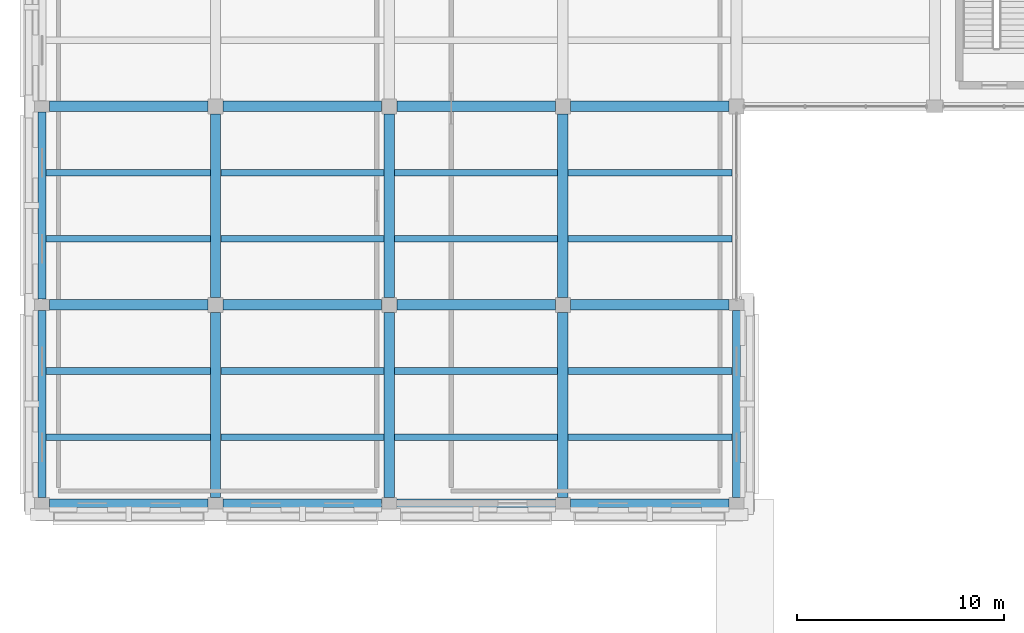
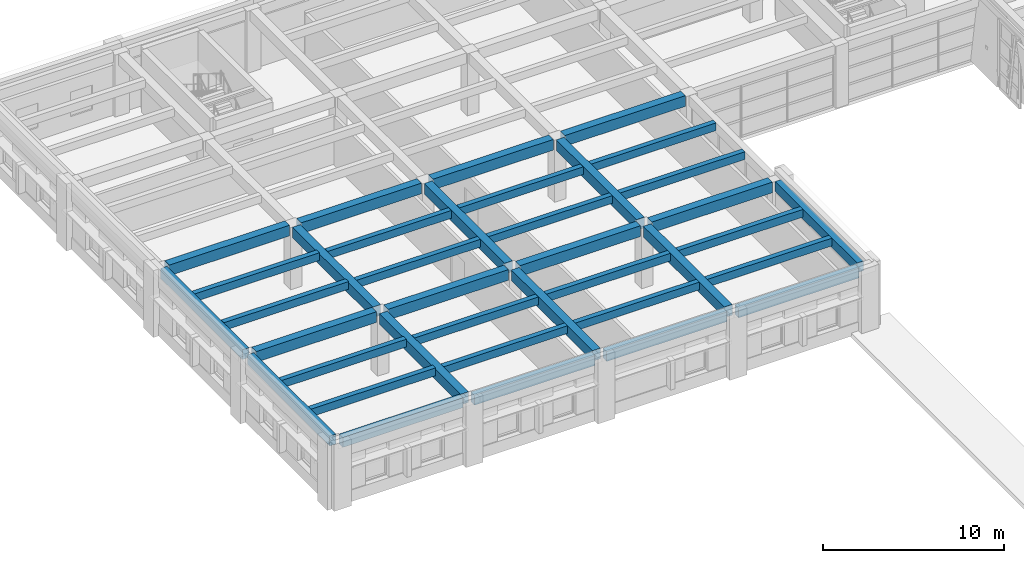
# One storey, part 7 of 49: 37 beams.
"""IFC4 building model written with IfcOpenShell, lengths in metres."""

from ifc_helpers import new_model, si_unit, direction, frame, origin, origin_2d, place, context, subcontext, project, spatial, rectangle, extrude, material, material_profile, profile_set, type_object, element, save


model = new_model("IFC4")

# Units and contexts
model_context = context("Model", 3, precision=1e-05, world=origin(), true_north=direction((0.0, 1.0)))
body_context = subcontext(model_context, "Body", "Model", "MODEL_VIEW")
ifc_project = project(units=[si_unit("LENGTHUNIT", "METRE"), si_unit("AREAUNIT", "SQUARE_METRE"), si_unit("VOLUMEUNIT", "CUBIC_METRE"), si_unit("PLANEANGLEUNIT", "RADIAN"), si_unit("MASSUNIT", "GRAM", prefix="KILO")], contexts=[model_context])

# Site, building, storey
site_placement = place(None, origin())
site = spatial("IfcSite", under=ifc_project, at=site_placement, CompositionType="ELEMENT")
building_placement = place(site_placement, origin())
building = spatial("IfcBuilding", under=site, at=building_placement, Name="Bempovik Park Faculty of Sciences", CompositionType="ELEMENT")
storey_placement = place(building_placement, frame((0.0, 0.0, 5.39990234375)))
storey = spatial("IfcBuildingStorey", under=building, at=storey_placement, Name="L01", CompositionType="ELEMENT", Elevation=5.39990234375)

# Beams
ifc_material = material(Name="Concrete C35/45", Category="concrete")
ifc_material_profile_1 = material_profile(ifc_material, rectangle(XDim=0.320068359375, YDim=0.52001953125, at=origin_2d()), Name="RC 320x520")
ifc_profile_set_1 = profile_set([ifc_material_profile_1], Name="Concrete C35/45")
beam_type_1 = type_object("IfcBeamType", Name="B-028 RC 320x520", PredefinedType="JOIST", material=ifc_profile_set_1)
for number, where, z_axis, x_axis, name in (
    (1, (7.406005859375, 51.800048828125, 4.02001953125), (1.0, 0.0, 0.0), (0.0, 1.0, 0.0), "L01 Secondary Joist (7.2-15.6, y=51.80)"),
    (2, (7.406005859375, 55.0, 4.02001953125), (1.0, 0.0, 0.0), (0.0, 1.0, 0.0), "L01 Secondary Joist (7.2-15.6, y=55.00)"),
    (3, (7.406005859375, 61.39990234375, 4.02001953125), (1.0, 0.0, 0.0), (0.0, 1.0, 0.0), "L01 Secondary Joist (7.2-15.6, y=61.40)"),
    (4, (7.406005859375, 64.60009765625, 4.02001953125), (1.0, 0.0, 0.0), (0.0, 1.0, 0.0), "L01 Secondary Joist (7.2-15.6, y=64.60)"),
):
    element("IfcBeam", number, at=place(storey_placement, frame(where, z_axis=z_axis, x_axis=x_axis)), inside=storey, type_object=beam_type_1, Name=name, PredefinedType="JOIST", context=body_context, shape_type="SweptSolid", body=[
        extrude(rectangle(XDim=0.320068359375, YDim=0.52001953125, at=origin_2d()), origin(), (0.0, 0.0, 1.0), 7.93798828125),
    ])
for number, where, z_axis, x_axis, name in (
    (5, (15.85595703125, 51.800048828125, 3.920166015625), (1.0, 0.0, 0.0), (0.0, 1.0, 0.0), "L01 Secondary Joist (15.6-24.0, y=51.80)"),
    (6, (15.85595703125, 55.0, 3.920166015625), (1.0, 0.0, 0.0), (0.0, 1.0, 0.0), "L01 Secondary Joist (15.6-24.0, y=55.00)"),
    (7, (15.85595703125, 61.39990234375, 3.920166015625), (1.0, 0.0, 0.0), (0.0, 1.0, 0.0), "L01 Secondary Joist (15.6-24.0, y=61.40)"),
    (8, (15.85595703125, 64.60009765625, 3.920166015625), (1.0, 0.0, 0.0), (0.0, 1.0, 0.0), "L01 Secondary Joist (15.6-24.0, y=64.60)"),
    (9, (24.256103515625, 51.800048828125, 3.920166015625), (1.0, 0.0, 0.0), (0.0, 1.0, 0.0), "L01 Secondary Joist (24.0-32.4, y=51.80)"),
    (10, (24.256103515625, 55.0, 3.920166015625), (1.0, 0.0, 0.0), (0.0, 1.0, 0.0), "L01 Secondary Joist (24.0-32.4, y=55.00)"),
    (11, (24.256103515625, 61.39990234375, 3.920166015625), (1.0, 0.0, 0.0), (0.0, 1.0, 0.0), "L01 Secondary Joist (24.0-32.4, y=61.40)"),
    (12, (24.256103515625, 64.60009765625, 3.920166015625), (1.0, 0.0, 0.0), (0.0, 1.0, 0.0), "L01 Secondary Joist (24.0-32.4, y=64.60)"),
):
    element("IfcBeam", number, at=place(storey_placement, frame(where, z_axis=z_axis, x_axis=x_axis)), inside=storey, type_object=beam_type_1, Name=name, PredefinedType="JOIST", context=body_context, shape_type="SweptSolid", body=[
        extrude(rectangle(XDim=0.320068359375, YDim=0.52001953125, at=origin_2d()), origin(), (0.0, 0.0, 1.0), 7.887939453125),
    ])
for number, where, z_axis, x_axis, name in (
    (13, (32.656005859375, 51.800048828125, 3.920166015625), (1.0, 0.0, 0.0), (0.0, 1.0, 0.0), "L01 Secondary Joist (32.4-40.8, y=51.80)"),
    (14, (32.656005859375, 55.0, 3.920166015625), (1.0, 0.0, 0.0), (0.0, 1.0, 0.0), "L01 Secondary Joist (32.4-40.8, y=55.00)"),
    (15, (32.656005859375, 61.39990234375, 3.920166015625), (1.0, 0.0, 0.0), (0.0, 1.0, 0.0), "L01 Secondary Joist (32.4-40.8, y=61.40)"),
    (16, (32.656005859375, 64.60009765625, 3.920166015625), (1.0, 0.0, 0.0), (0.0, 1.0, 0.0), "L01 Secondary Joist (32.4-40.8, y=64.60)"),
):
    element("IfcBeam", number, at=place(storey_placement, frame(where, z_axis=z_axis, x_axis=x_axis)), inside=storey, type_object=beam_type_1, Name=name, PredefinedType="JOIST", context=body_context, shape_type="SweptSolid", body=[
        extrude(rectangle(XDim=0.320068359375, YDim=0.52001953125, at=origin_2d()), origin(), (0.0, 0.0, 1.0), 7.93798828125),
    ])
ifc_material_profile_2 = material_profile(ifc_material, rectangle(XDim=0.5, YDim=0.719970703125, at=origin_2d()), Name="RC 500x720")
ifc_profile_set_2 = profile_set([ifc_material_profile_2], Name="Concrete C35/45")
beam_type_2 = type_object("IfcBeamType", Name="B-092 RC 500x720", PredefinedType="BEAM", material=ifc_profile_set_2)
for number, where, z_axis, x_axis, name in (
    (17, (7.56591796875, 58.199951171875, 3.920166015625), (1.0, 0.0, 0.0), (0.0, 1.0, 0.0), "L01 Beam X (7.2-15.6, y=58.2)"),
    (18, (15.966064453125, 58.199951171875, 3.820068359375), (1.0, 0.0, 0.0), (0.0, 1.0, 0.0), "L01 Beam X (15.6-24.0, y=58.2)"),
    (19, (24.365966796875, 58.199951171875, 3.820068359375), (1.0, 0.0, 0.0), (0.0, 1.0, 0.0), "L01 Beam X (24.0-32.4, y=58.2)"),
    (20, (32.76611328125, 58.199951171875, 3.820068359375), (1.0, 0.0, 0.0), (0.0, 1.0, 0.0), "L01 Beam X (32.4-40.8, y=58.2)"),
    (21, (7.56591796875, 67.800048828125, 3.920166015625), (1.0, 0.0, 0.0), (0.0, 1.0, 0.0), "L01 Beam X (7.2-15.6, y=67.8)"),
    (22, (15.966064453125, 67.800048828125, 3.820068359375), (1.0, 0.0, 0.0), (0.0, 1.0, 0.0), "L01 Beam X (15.6-24.0, y=67.8)"),
    (23, (24.365966796875, 67.800048828125, 3.820068359375), (1.0, 0.0, 0.0), (0.0, 1.0, 0.0), "L01 Beam X (24.0-32.4, y=67.8)"),
    (24, (32.76611328125, 67.800048828125, 3.820068359375), (1.0, 0.0, 0.0), (0.0, 1.0, 0.0), "L01 Beam X (32.4-40.8, y=67.8)"),
):
    element("IfcBeam", number, at=place(storey_placement, frame(where, z_axis=z_axis, x_axis=x_axis)), inside=storey, type_object=beam_type_2, Name=name, PredefinedType="BEAM", context=body_context, shape_type="SweptSolid", body=[
        extrude(rectangle(XDim=0.5, YDim=0.719970703125, at=origin_2d()), origin(), (0.0, 0.0, 1.0), 7.66796875),
    ])
beam_1_placement = place(storey_placement, frame((15.60009765625, 48.8759765625, 3.820068359375), z_axis=(0.0, 1.0, 0.0), x_axis=(-1.0, 0.0, 0.0)))
element("IfcBeam", 25, at=beam_1_placement, inside=storey, type_object=beam_type_2, Name="L01 Beam Y (x=15.6, 48.6-58.2)", PredefinedType="BEAM", context=body_context, shape_type="SweptSolid", body=[
    extrude(rectangle(XDim=0.5, YDim=0.719970703125, at=origin_2d()), origin(), (0.0, 0.0, 1.0), 8.9580078125),
])
beam_2_placement = place(storey_placement, frame((15.60009765625, 58.56591796875, 3.820068359375), z_axis=(0.0, 1.0, 0.0), x_axis=(-1.0, 0.0, 0.0)))
element("IfcBeam", 26, at=beam_2_placement, inside=storey, type_object=beam_type_2, Name="L01 Beam Y (x=15.6, 58.2-67.8)", PredefinedType="BEAM", context=body_context, shape_type="SweptSolid", body=[
    extrude(rectangle(XDim=0.5, YDim=0.719970703125, at=origin_2d()), origin(), (0.0, 0.0, 1.0), 8.8681640625),
])
beam_3_placement = place(storey_placement, frame((24.0, 48.8759765625, 3.820068359375), z_axis=(0.0, 1.0, 0.0), x_axis=(-1.0, 0.0, 0.0)))
element("IfcBeam", 27, at=beam_3_placement, inside=storey, type_object=beam_type_2, Name="L01 Beam Y (x=24.0, 48.6-58.2)", PredefinedType="BEAM", context=body_context, shape_type="SweptSolid", body=[
    extrude(rectangle(XDim=0.5, YDim=0.719970703125, at=origin_2d()), origin(), (0.0, 0.0, 1.0), 8.9580078125),
])
beam_4_placement = place(storey_placement, frame((24.0, 58.56591796875, 3.820068359375), z_axis=(0.0, 1.0, 0.0), x_axis=(-1.0, 0.0, 0.0)))
element("IfcBeam", 28, at=beam_4_placement, inside=storey, type_object=beam_type_2, Name="L01 Beam Y (x=24.0, 58.2-67.8)", PredefinedType="BEAM", context=body_context, shape_type="SweptSolid", body=[
    extrude(rectangle(XDim=0.5, YDim=0.719970703125, at=origin_2d()), origin(), (0.0, 0.0, 1.0), 8.8681640625),
])
beam_5_placement = place(storey_placement, frame((32.39990234375, 48.8759765625, 3.820068359375), z_axis=(0.0, 1.0, 0.0), x_axis=(-1.0, 0.0, 0.0)))
element("IfcBeam", 29, at=beam_5_placement, inside=storey, type_object=beam_type_2, Name="L01 Beam Y (x=32.4, 48.6-58.2)", PredefinedType="BEAM", context=body_context, shape_type="SweptSolid", body=[
    extrude(rectangle(XDim=0.5, YDim=0.719970703125, at=origin_2d()), origin(), (0.0, 0.0, 1.0), 8.9580078125),
])
beam_6_placement = place(storey_placement, frame((32.39990234375, 58.56591796875, 3.820068359375), z_axis=(0.0, 1.0, 0.0), x_axis=(-1.0, 0.0, 0.0)))
element("IfcBeam", 30, at=beam_6_placement, inside=storey, type_object=beam_type_2, Name="L01 Beam Y (x=32.4, 58.2-67.8)", PredefinedType="BEAM", context=body_context, shape_type="SweptSolid", body=[
    extrude(rectangle(XDim=0.5, YDim=0.719970703125, at=origin_2d()), origin(), (0.0, 0.0, 1.0), 8.8681640625),
])
ifc_material_profile_3 = material_profile(ifc_material, rectangle(XDim=0.39990234375, YDim=0.659912109375, at=origin_2d()), Name="RC 400x660")
ifc_profile_set_3 = profile_set([ifc_material_profile_3], Name="Concrete C35/45")
beam_type_3 = type_object("IfcBeamType", Name="B-097 RC 400x660", PredefinedType="SPANDREL", material=ifc_profile_set_3)
for number, where, z_axis, x_axis, name in (
    (31, (7.56591796875, 48.60009765625, 3.9501953125), (1.0, 0.0, 0.0), (0.0, 1.0, 0.0), "L01 Beam X (7.2-15.6, y=48.6)"),
    (32, (15.966064453125, 48.60009765625, 3.85009765625), (1.0, 0.0, 0.0), (0.0, 1.0, 0.0), "L01 Beam X (15.6-24.0, y=48.6)"),
    (33, (24.365966796875, 48.60009765625, 3.85009765625), (1.0, 0.0, 0.0), (0.0, 1.0, 0.0), "L01 Beam X (24.0-32.4, y=48.6)"),
    (34, (32.76611328125, 48.60009765625, 3.85009765625), (1.0, 0.0, 0.0), (0.0, 1.0, 0.0), "L01 Beam X (32.4-40.8, y=48.6)"),
):
    element("IfcBeam", number, at=place(storey_placement, frame(where, z_axis=z_axis, x_axis=x_axis)), inside=storey, type_object=beam_type_3, Name=name, PredefinedType="SPANDREL", context=body_context, shape_type="SweptSolid", body=[
        extrude(rectangle(XDim=0.39990234375, YDim=0.659912109375, at=origin_2d()), origin(), (0.0, 0.0, 1.0), 7.66796875),
    ])
beam_7_placement = place(storey_placement, frame((7.199951171875, 48.8759765625, 3.9501953125), z_axis=(0.0, 1.0, 0.0), x_axis=(-1.0, 0.0, 0.0)))
element("IfcBeam", 35, at=beam_7_placement, inside=storey, type_object=beam_type_3, Name="L01 Beam Y (x=7.2, 48.6-58.2)", PredefinedType="SPANDREL", context=body_context, shape_type="SweptSolid", body=[
    extrude(rectangle(XDim=0.39990234375, YDim=0.659912109375, at=origin_2d()), origin(), (0.0, 0.0, 1.0), 9.048095703125),
])
beam_8_placement = place(storey_placement, frame((7.199951171875, 58.47607421875, 3.9501953125), z_axis=(0.0, 1.0, 0.0), x_axis=(-1.0, 0.0, 0.0)))
element("IfcBeam", 36, at=beam_8_placement, inside=storey, type_object=beam_type_3, Name="L01 Beam Y (x=7.2, 58.2-67.8)", PredefinedType="SPANDREL", context=body_context, shape_type="SweptSolid", body=[
    extrude(rectangle(XDim=0.39990234375, YDim=0.659912109375, at=origin_2d()), origin(), (0.0, 0.0, 1.0), 9.0478515625),
])
beam_9_placement = place(storey_placement, frame((40.800048828125, 48.8759765625, 3.85009765625), z_axis=(0.0, 1.0, 0.0), x_axis=(-1.0, 0.0, 0.0)))
element("IfcBeam", 37, at=beam_9_placement, inside=storey, type_object=beam_type_3, Name="L01 Beam Y (x=40.8, 48.6-58.2)", PredefinedType="SPANDREL", context=body_context, shape_type="SweptSolid", body=[
    extrude(rectangle(XDim=0.39990234375, YDim=0.659912109375, at=origin_2d()), origin(), (0.0, 0.0, 1.0), 9.048095703125),
])

save(model, "model.ifc")
